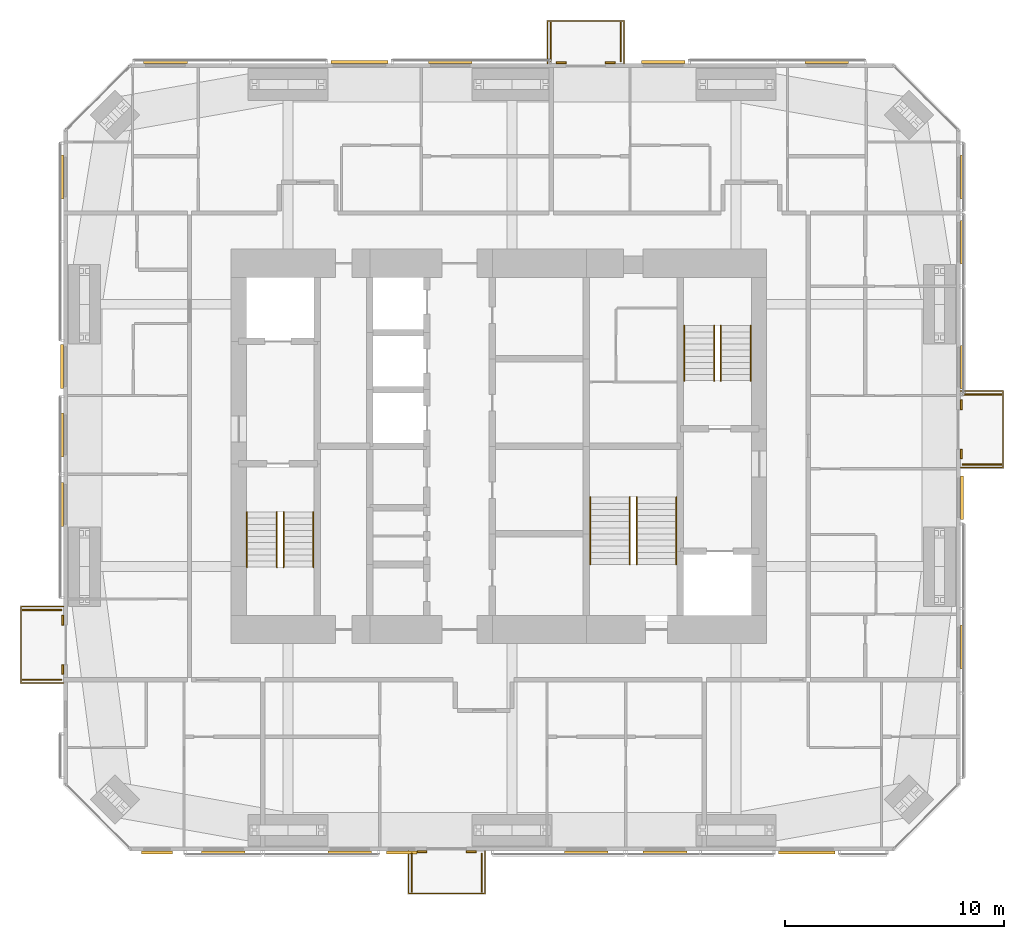
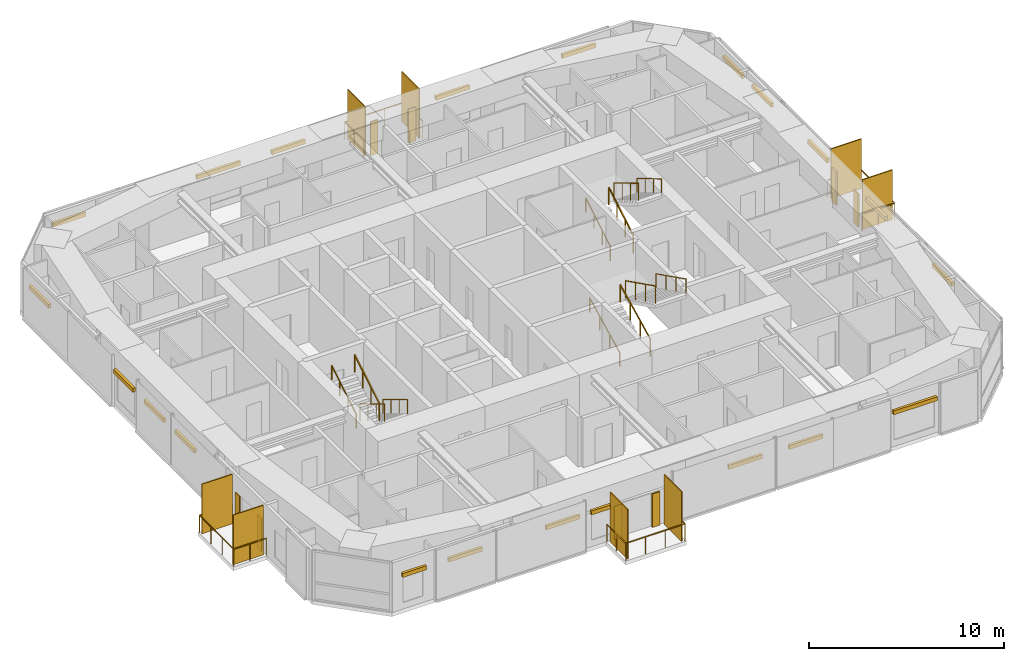
# One storey, part 23 of 23: 37 shading devices, 16 railings.
"""IFC4 building model written with IfcOpenShell, lengths in metres."""

from ifc_helpers import new_model, si_unit, direction, frame, origin, origin_2d, place, context, subcontext, project, spatial, rectangle, circle, extrude, material, layer, layer_set, constituent, constituent_set, type_object, element, save


model = new_model("IFC4")

# Units and contexts
model_context = context("Model", 3, precision=1e-05, world=origin(), true_north=direction((0.0, 1.0)))
body_context = subcontext(model_context, "Body", "Model", "MODEL_VIEW")
ifc_project = project(units=[si_unit("LENGTHUNIT", "METRE"), si_unit("AREAUNIT", "SQUARE_METRE"), si_unit("VOLUMEUNIT", "CUBIC_METRE"), si_unit("PLANEANGLEUNIT", "RADIAN"), si_unit("MASSUNIT", "GRAM", prefix="KILO")], contexts=[model_context])

# Site, building, storey
site_placement = place(None, origin())
site = spatial("IfcSite", under=ifc_project, at=site_placement, CompositionType="ELEMENT")
building_placement = place(site_placement, origin())
building = spatial("IfcBuilding", under=site, at=building_placement, Name="Jalousie Tower", CompositionType="ELEMENT")
storey_placement = place(building_placement, frame((0.0, 0.0, 197.89990234375)))
storey = spatial("IfcBuildingStorey", under=building, at=storey_placement, Name="L54", CompositionType="ELEMENT", Elevation=197.89990234375)

# Shading devices
ifc_material_1 = material(Name="Aluminium impact-rated louvred storm shutter", Category="aluminium")
shading_device_type_1 = type_object("IfcShadingDeviceType", Name="BI-FOLD STORM SHUTTER 900x2100", PredefinedType="SHUTTER", material=ifc_material_1)
for number, where, z_axis, x_axis, name in (
    (1, (28.387451171875, -0.0400390625, 0.0), (0.0, 0.0, 1.0), (1.0, 0.0, 0.0), "Balcony storm shutter L54"),
    (2, (30.637451171875, -0.0400390625, 0.0), (0.0, 0.0, 1.0), (1.0, 0.0, 0.0), "Balcony storm shutter L54"),
    (3, (53.0400390625, 18.14990234375, 0.0), (0.0, 0.0, 1.0), (0.0, 1.0, 0.0), "Balcony storm shutter L54"),
    (4, (53.0400390625, 20.39990234375, 0.0), (0.0, 0.0, 1.0), (0.0, 1.0, 0.0), "Balcony storm shutter L54"),
    (5, (37.0, 36.0400390625, 0.0), (0.0, 0.0, 1.0), (-1.0, 0.0, 0.0), "Balcony storm shutter L54"),
    (6, (34.75, 36.0400390625, 0.0), (0.0, 0.0, 1.0), (-1.0, 0.0, 0.0), "Balcony storm shutter L54"),
    (7, (11.9599609375, 10.550048828125, 0.0), (0.0, 0.0, 1.0), (0.0, -1.0, 0.0), "Balcony storm shutter L54"),
    (8, (11.9599609375, 8.300048828125, 0.0), (0.0, 0.0, 1.0), (0.0, -1.0, 0.0), "Balcony storm shutter L54"),
):
    element("IfcShadingDevice", number, at=place(storey_placement, frame(where, z_axis=z_axis, x_axis=x_axis)), inside=storey, type_object=shading_device_type_1, Name=name, PredefinedType="SHUTTER", context=body_context, shape_type="SweptSolid", body=[
        extrude(rectangle(XDim=0.449951171875, YDim=0.080078125, at=origin_2d()), origin(), (0.0, 0.0, 1.0), 2.10009765625),
    ])

# Railings
ifc_material_2 = material(Name="Powder-coated aluminium fretwork", Category="aluminium")
railing_type_1 = type_object("IfcRailingType", Name="FRETWORK BALUSTRADE 1100", PredefinedType="BALUSTRADE", material=ifc_material_2)
railing_1_placement = place(storey_placement, frame((27.762451171875, 0.0, 0.0)))
element("IfcRailing", 9, at=railing_1_placement, inside=storey, type_object=railing_type_1, Name="Balcony fretwork balustrade L54", PredefinedType="BALUSTRADE", context=body_context, shape_type="SweptSolid", body=[
    extrude(rectangle(XDim=0.048095703125, YDim=0.048095703125, at=origin_2d()), frame((0.0, 0.0, 1.076171875), z_axis=(0.0, -1.0, 0.0), x_axis=(1.0, 0.0, 0.0)), (0.0, 0.0, 1.0), 1.949951171875),
    extrude(rectangle(XDim=0.048095703125, YDim=0.048095703125, at=origin_2d()), frame((0.0, -1.949951171875, 1.076171875), z_axis=(1.0, 0.0, 0.0), x_axis=(0.0, 1.0, 0.0)), (0.0, 0.0, 1.0), 3.5),
    extrude(rectangle(XDim=0.048095703125, YDim=0.048095703125, at=origin_2d()), frame((3.5, -1.949951171875, 1.076171875), z_axis=(0.0, 1.0, 0.0), x_axis=(-1.0, 0.0, 0.0)), (0.0, 0.0, 1.0), 1.949951171875),
    extrude(circle(Radius=0.02099609375, at=origin_2d()), origin(), (0.0, 0.0, 1.0), 1.052001953125),
    extrude(circle(Radius=0.02099609375, at=origin_2d()), frame((0.0, -0.97509765625, 0.0)), (0.0, 0.0, 1.0), 1.052001953125),
    extrude(circle(Radius=0.02099609375, at=origin_2d()), frame((0.0, -1.949951171875, 0.0)), (0.0, 0.0, 1.0), 1.052001953125),
    extrude(circle(Radius=0.02099609375, at=origin_2d()), frame((1.166748046875, -1.949951171875, 0.0)), (0.0, 0.0, 1.0), 1.052001953125),
    extrude(circle(Radius=0.02099609375, at=origin_2d()), frame((2.333251953125, -1.949951171875, 0.0)), (0.0, 0.0, 1.0), 1.052001953125),
    extrude(circle(Radius=0.02099609375, at=origin_2d()), frame((3.5, -1.949951171875, 0.0)), (0.0, 0.0, 1.0), 1.052001953125),
    extrude(circle(Radius=0.02099609375, at=origin_2d()), frame((3.5, -0.97509765625, 0.0)), (0.0, 0.0, 1.0), 1.052001953125),
    extrude(circle(Radius=0.02099609375, at=origin_2d()), frame((3.5, 0.0, 0.0)), (0.0, 0.0, 1.0), 1.052001953125),
])
railing_2_placement = place(storey_placement, frame((53.0, 17.52490234375, 0.0)))
element("IfcRailing", 10, at=railing_2_placement, inside=storey, type_object=railing_type_1, Name="Balcony fretwork balustrade L54", PredefinedType="BALUSTRADE", context=body_context, shape_type="SweptSolid", body=[
    extrude(rectangle(XDim=0.048095703125, YDim=0.048095703125, at=origin_2d()), frame((0.0, 0.0, 1.076171875), z_axis=(1.0, 0.0, 0.0), x_axis=(0.0, 1.0, 0.0)), (0.0, 0.0, 1.0), 1.949951171875),
    extrude(rectangle(XDim=0.048095703125, YDim=0.048095703125, at=origin_2d()), frame((1.949951171875, 0.0, 1.076171875), z_axis=(0.0, 1.0, 0.0), x_axis=(-1.0, 0.0, 0.0)), (0.0, 0.0, 1.0), 3.5),
    extrude(rectangle(XDim=0.048095703125, YDim=0.048095703125, at=origin_2d()), frame((1.949951171875, 3.5, 1.076171875), z_axis=(-1.0, 0.0, 0.0), x_axis=(0.0, -1.0, 0.0)), (0.0, 0.0, 1.0), 1.949951171875),
    extrude(circle(Radius=0.02099609375, at=origin_2d()), origin(), (0.0, 0.0, 1.0), 1.052001953125),
    extrude(circle(Radius=0.02099609375, at=origin_2d()), frame((0.97509765625, 0.0, 0.0)), (0.0, 0.0, 1.0), 1.052001953125),
    extrude(circle(Radius=0.02099609375, at=origin_2d()), frame((1.949951171875, 0.0, 0.0)), (0.0, 0.0, 1.0), 1.052001953125),
    extrude(circle(Radius=0.02099609375, at=origin_2d()), frame((1.949951171875, 1.166748046875, 0.0)), (0.0, 0.0, 1.0), 1.052001953125),
    extrude(circle(Radius=0.02099609375, at=origin_2d()), frame((1.949951171875, 2.333251953125, 0.0)), (0.0, 0.0, 1.0), 1.052001953125),
    extrude(circle(Radius=0.02099609375, at=origin_2d()), frame((1.949951171875, 3.5, 0.0)), (0.0, 0.0, 1.0), 1.052001953125),
    extrude(circle(Radius=0.02099609375, at=origin_2d()), frame((0.97509765625, 3.5, 0.0)), (0.0, 0.0, 1.0), 1.052001953125),
    extrude(circle(Radius=0.02099609375, at=origin_2d()), frame((0.0, 3.5, 0.0)), (0.0, 0.0, 1.0), 1.052001953125),
])
railing_3_placement = place(storey_placement, frame((37.625, 36.0, 0.0)))
element("IfcRailing", 11, at=railing_3_placement, inside=storey, type_object=railing_type_1, Name="Balcony fretwork balustrade L54", PredefinedType="BALUSTRADE", context=body_context, shape_type="SweptSolid", body=[
    extrude(rectangle(XDim=0.048095703125, YDim=0.048095703125, at=origin_2d()), frame((0.0, 0.0, 1.076171875), z_axis=(0.0, 1.0, 0.0), x_axis=(-1.0, 0.0, 0.0)), (0.0, 0.0, 1.0), 1.949951171875),
    extrude(rectangle(XDim=0.048095703125, YDim=0.048095703125, at=origin_2d()), frame((0.0, 1.949951171875, 1.076171875), z_axis=(-1.0, 0.0, 0.0), x_axis=(0.0, -1.0, 0.0)), (0.0, 0.0, 1.0), 3.5),
    extrude(rectangle(XDim=0.048095703125, YDim=0.048095703125, at=origin_2d()), frame((-3.5, 1.949951171875, 1.076171875), z_axis=(0.0, -1.0, 0.0), x_axis=(1.0, 0.0, 0.0)), (0.0, 0.0, 1.0), 1.949951171875),
    extrude(circle(Radius=0.02099609375, at=origin_2d()), origin(), (0.0, 0.0, 1.0), 1.052001953125),
    extrude(circle(Radius=0.02099609375, at=origin_2d()), frame((0.0, 0.97509765625, 0.0)), (0.0, 0.0, 1.0), 1.052001953125),
    extrude(circle(Radius=0.02099609375, at=origin_2d()), frame((0.0, 1.949951171875, 0.0)), (0.0, 0.0, 1.0), 1.052001953125),
    extrude(circle(Radius=0.02099609375, at=origin_2d()), frame((-1.166748046875, 1.949951171875, 0.0)), (0.0, 0.0, 1.0), 1.052001953125),
    extrude(circle(Radius=0.02099609375, at=origin_2d()), frame((-2.333251953125, 1.949951171875, 0.0)), (0.0, 0.0, 1.0), 1.052001953125),
    extrude(circle(Radius=0.02099609375, at=origin_2d()), frame((-3.5, 1.949951171875, 0.0)), (0.0, 0.0, 1.0), 1.052001953125),
    extrude(circle(Radius=0.02099609375, at=origin_2d()), frame((-3.5, 0.97509765625, 0.0)), (0.0, 0.0, 1.0), 1.052001953125),
    extrude(circle(Radius=0.02099609375, at=origin_2d()), frame((-3.5, 0.0, 0.0)), (0.0, 0.0, 1.0), 1.052001953125),
])
railing_4_placement = place(storey_placement, frame((12.0, 11.175048828125, 0.0)))
element("IfcRailing", 12, at=railing_4_placement, inside=storey, type_object=railing_type_1, Name="Balcony fretwork balustrade L54", PredefinedType="BALUSTRADE", context=body_context, shape_type="SweptSolid", body=[
    extrude(rectangle(XDim=0.048095703125, YDim=0.048095703125, at=origin_2d()), frame((0.0, 0.0, 1.076171875), z_axis=(-1.0, 0.0, 0.0), x_axis=(0.0, -1.0, 0.0)), (0.0, 0.0, 1.0), 1.949951171875),
    extrude(rectangle(XDim=0.048095703125, YDim=0.048095703125, at=origin_2d()), frame((-1.949951171875, 0.0, 1.076171875), z_axis=(0.0, -1.0, 0.0), x_axis=(1.0, 0.0, 0.0)), (0.0, 0.0, 1.0), 3.5),
    extrude(rectangle(XDim=0.048095703125, YDim=0.048095703125, at=origin_2d()), frame((-1.949951171875, -3.5, 1.076171875), z_axis=(1.0, 0.0, 0.0), x_axis=(0.0, 1.0, 0.0)), (0.0, 0.0, 1.0), 1.949951171875),
    extrude(circle(Radius=0.02099609375, at=origin_2d()), origin(), (0.0, 0.0, 1.0), 1.052001953125),
    extrude(circle(Radius=0.02099609375, at=origin_2d()), frame((-0.97509765625, 0.0, 0.0)), (0.0, 0.0, 1.0), 1.052001953125),
    extrude(circle(Radius=0.02099609375, at=origin_2d()), frame((-1.949951171875, 0.0, 0.0)), (0.0, 0.0, 1.0), 1.052001953125),
    extrude(circle(Radius=0.02099609375, at=origin_2d()), frame((-1.949951171875, -1.166748046875, 0.0)), (0.0, 0.0, 1.0), 1.052001953125),
    extrude(circle(Radius=0.02099609375, at=origin_2d()), frame((-1.949951171875, -2.333251953125, 0.0)), (0.0, 0.0, 1.0), 1.052001953125),
    extrude(circle(Radius=0.02099609375, at=origin_2d()), frame((-1.949951171875, -3.5, 0.0)), (0.0, 0.0, 1.0), 1.052001953125),
    extrude(circle(Radius=0.02099609375, at=origin_2d()), frame((-0.97509765625, -3.5, 0.0)), (0.0, 0.0, 1.0), 1.052001953125),
    extrude(circle(Radius=0.02099609375, at=origin_2d()), frame((0.0, -3.5, 0.0)), (0.0, 0.0, 1.0), 1.052001953125),
])

# Shading devices
ifc_material_3 = material(Name="Powder-coated aluminium louvres", Category="aluminium")
ifc_layer = layer(ifc_material_3, 0.06005859375)
ifc_layer_set = layer_set([ifc_layer], Name="Powder-coated aluminium louvres")
shading_device_type_2 = type_object("IfcShadingDeviceType", Name="JALOUSIE LOUVRE SCREEN", PredefinedType="JALOUSIE", material=ifc_layer_set)
for number, where, z_axis, x_axis, name in (
    (13, (27.91259765625, -1.0, 0.0), (0.0, 0.0, 1.0), (1.0, 0.0, 0.0), "Jalousie louvre screen L54"),
    (14, (31.112548828125, -1.0, 0.0), (0.0, 0.0, 1.0), (1.0, 0.0, 0.0), "Jalousie louvre screen L54"),
    (15, (54.0, 17.675048828125, 0.0), (0.0, 0.0, 1.0), (0.0, 1.0, 0.0), "Jalousie louvre screen L54"),
    (16, (54.0, 20.875, 0.0), (0.0, 0.0, 1.0), (0.0, 1.0, 0.0), "Jalousie louvre screen L54"),
    (17, (37.47509765625, 37.0, 0.0), (0.0, 0.0, 1.0), (-1.0, 0.0, 0.0), "Jalousie louvre screen L54"),
    (18, (34.27490234375, 37.0, 0.0), (0.0, 0.0, 1.0), (-1.0, 0.0, 0.0), "Jalousie louvre screen L54"),
    (19, (11.0, 11.02490234375, 0.0), (0.0, 0.0, 1.0), (0.0, -1.0, 0.0), "Jalousie louvre screen L54"),
    (20, (11.0, 7.824951171875, 0.0), (0.0, 0.0, 1.0), (0.0, -1.0, 0.0), "Jalousie louvre screen L54"),
):
    element("IfcShadingDevice", number, at=place(storey_placement, frame(where, z_axis=z_axis, x_axis=x_axis)), inside=storey, type_object=shading_device_type_2, Name=name, PredefinedType="JALOUSIE", context=body_context, shape_type="SweptSolid", body=[
        extrude(rectangle(XDim=0.06005859375, YDim=1.800048828125, at=origin_2d()), origin(), (0.0, 0.0, 1.0), 3.110107421875),
    ])

# Railings
ifc_material_4 = material(Name="Steel ASTM A500 Grade C", Category="steel")
ifc_constituent_1 = constituent(ifc_material_4, Name="Body")
ifc_material_5 = material(Name="Hot-dip galvanised zinc coating")
ifc_constituent_2 = constituent(ifc_material_5, Name="Finish")
ifc_constituent_set_1 = constituent_set(constituents=[ifc_constituent_1, ifc_constituent_2])
railing_type_2 = type_object("IfcRailingType", Name="STAIR GUARD 1100", PredefinedType="GUARDRAIL", material=ifc_constituent_set_1)
railing_5_placement = place(storey_placement, frame((22.054931640625, 15.49755859375, 0.16748046875)))
element("IfcRailing", 21, at=railing_5_placement, inside=storey, type_object=railing_type_2, Name="Exit stair A guard L54 flight 1", PredefinedType="GUARDRAIL", context=body_context, shape_type="SweptSolid", body=[
    extrude(rectangle(XDim=0.048095703125, YDim=0.048095703125, at=origin_2d()), frame((0.0, 0.0, 1.076171875), z_axis=(0.0, -0.858159760407, 0.513382728203), x_axis=(1.0, 0.0, 0.0)), (0.0, 0.0, 1.0), 2.9365234375),
    extrude(circle(Radius=0.02099609375, at=origin_2d()), origin(), (0.0, 0.0, 1.0), 1.052001953125),
    extrude(circle(Radius=0.02099609375, at=origin_2d()), frame((0.0, -0.840087890625, 0.50244140625)), (0.0, 0.0, 1.0), 1.052001953125),
    extrude(circle(Radius=0.02099609375, at=origin_2d()), frame((0.0, -1.679931640625, 1.005126953125)), (0.0, 0.0, 1.0), 1.052001953125),
    extrude(circle(Radius=0.02099609375, at=origin_2d()), frame((0.0, -2.52001953125, 1.507568359375)), (0.0, 0.0, 1.0), 1.052001953125),
])
for number, where, name in (
    (22, (21.7451171875, 12.9775390625, 1.842529296875), "Exit stair A guard L54 flight 2"),
    (23, (41.7451171875, 21.50244140625, 0.16748046875), "Exit stair B guard L54 flight 1"),
):
    element("IfcRailing", number, at=place(storey_placement, frame(where)), inside=storey, type_object=railing_type_2, Name=name, PredefinedType="GUARDRAIL", context=body_context, shape_type="SweptSolid", body=[
        extrude(rectangle(XDim=0.048095703125, YDim=0.048095703125, at=origin_2d()), frame((0.0, 0.0, 1.076171875), z_axis=(0.0, 0.858159760407, 0.513382728203), x_axis=(-1.0, 0.0, 0.0)), (0.0, 0.0, 1.0), 2.9365234375),
        extrude(circle(Radius=0.02099609375, at=origin_2d()), origin(), (0.0, 0.0, 1.0), 1.052001953125),
        extrude(circle(Radius=0.02099609375, at=origin_2d()), frame((0.0, 0.840087890625, 0.50244140625)), (0.0, 0.0, 1.0), 1.052001953125),
        extrude(circle(Radius=0.02099609375, at=origin_2d()), frame((0.0, 1.679931640625, 1.005126953125)), (0.0, 0.0, 1.0), 1.052001953125),
        extrude(circle(Radius=0.02099609375, at=origin_2d()), frame((0.0, 2.52001953125, 1.507568359375)), (0.0, 0.0, 1.0), 1.052001953125),
    ])
railing_6_placement = place(storey_placement, frame((42.054931640625, 24.0224609375, 1.842529296875)))
element("IfcRailing", 24, at=railing_6_placement, inside=storey, type_object=railing_type_2, Name="Exit stair B guard L54 flight 2", PredefinedType="GUARDRAIL", context=body_context, shape_type="SweptSolid", body=[
    extrude(rectangle(XDim=0.048095703125, YDim=0.048095703125, at=origin_2d()), frame((0.0, 0.0, 1.076171875), z_axis=(0.0, -0.858159760407, 0.513382728203), x_axis=(1.0, 0.0, 0.0)), (0.0, 0.0, 1.0), 2.9365234375),
    extrude(circle(Radius=0.02099609375, at=origin_2d()), origin(), (0.0, 0.0, 1.0), 1.052001953125),
    extrude(circle(Radius=0.02099609375, at=origin_2d()), frame((0.0, -0.840087890625, 0.50244140625)), (0.0, 0.0, 1.0), 1.052001953125),
    extrude(circle(Radius=0.02099609375, at=origin_2d()), frame((0.0, -1.679931640625, 1.005126953125)), (0.0, 0.0, 1.0), 1.052001953125),
    extrude(circle(Radius=0.02099609375, at=origin_2d()), frame((0.0, -2.52001953125, 1.507568359375)), (0.0, 0.0, 1.0), 1.052001953125),
])
railing_7_placement = place(storey_placement, frame((37.89501953125, 13.097412109375, 0.1396484375)))
element("IfcRailing", 25, at=railing_7_placement, inside=storey, type_object=railing_type_2, Name="Exit stair C guard L54 flight 1", PredefinedType="GUARDRAIL", context=body_context, shape_type="SweptSolid", body=[
    extrude(rectangle(XDim=0.048095703125, YDim=0.048095703125, at=origin_2d()), frame((0.0, 0.0, 1.076171875), z_axis=(0.0, 0.894965676997, 0.446134998624), x_axis=(-1.0, 0.0, 0.0)), (0.0, 0.0, 1.0), 3.441650390625),
    extrude(circle(Radius=0.02099609375, at=origin_2d()), origin(), (0.0, 0.0, 1.0), 1.052001953125),
    extrude(circle(Radius=0.02099609375, at=origin_2d()), frame((0.0, 1.026611328125, 0.51171875)), (0.0, 0.0, 1.0), 1.052001953125),
    extrude(circle(Radius=0.02099609375, at=origin_2d()), frame((0.0, 2.053466796875, 1.023681640625)), (0.0, 0.0, 1.0), 1.052001953125),
    extrude(circle(Radius=0.02099609375, at=origin_2d()), frame((0.0, 3.080078125, 1.535400390625)), (0.0, 0.0, 1.0), 1.052001953125),
])
railing_8_placement = place(storey_placement, frame((38.205078125, 16.177490234375, 1.814697265625)))
element("IfcRailing", 26, at=railing_8_placement, inside=storey, type_object=railing_type_2, Name="Exit stair C guard L54 flight 2", PredefinedType="GUARDRAIL", context=body_context, shape_type="SweptSolid", body=[
    extrude(rectangle(XDim=0.048095703125, YDim=0.048095703125, at=origin_2d()), frame((0.0, 0.0, 1.076171875), z_axis=(0.0, -0.894965676997, 0.446134998624), x_axis=(1.0, 0.0, 0.0)), (0.0, 0.0, 1.0), 3.441650390625),
    extrude(circle(Radius=0.02099609375, at=origin_2d()), origin(), (0.0, 0.0, 1.0), 1.052001953125),
    extrude(circle(Radius=0.02099609375, at=origin_2d()), frame((0.0, -1.026611328125, 0.51171875)), (0.0, 0.0, 1.0), 1.052001953125),
    extrude(circle(Radius=0.02099609375, at=origin_2d()), frame((0.0, -2.053466796875, 1.023681640625)), (0.0, 0.0, 1.0), 1.052001953125),
    extrude(circle(Radius=0.02099609375, at=origin_2d()), frame((0.0, -3.080078125, 1.535400390625)), (0.0, 0.0, 1.0), 1.052001953125),
])
ifc_material_6 = material(Name="Steel ASTM A500 Grade C", Category="steel")
ifc_constituent_3 = constituent(ifc_material_6, Name="Body")
ifc_material_7 = material(Name="Hot-dip galvanised zinc coating")
ifc_constituent_4 = constituent(ifc_material_7, Name="Finish")
ifc_constituent_set_2 = constituent_set(constituents=[ifc_constituent_3, ifc_constituent_4])
railing_type_3 = type_object("IfcRailingType", Name="STAIR HANDRAIL 900", PredefinedType="HANDRAIL", material=ifc_constituent_set_2)
railing_9_placement = place(storey_placement, frame((23.419921875, 15.49755859375, 0.16748046875)))
element("IfcRailing", 27, at=railing_9_placement, inside=storey, type_object=railing_type_3, Name="Exit stair A handrail L54 flight 1", PredefinedType="HANDRAIL", context=body_context, shape_type="SweptSolid", body=[
    extrude(circle(Radius=0.02392578125, at=origin_2d()), frame((0.0, 0.0, 0.8759765625), z_axis=(0.0, -0.858159760407, 0.513382728203), x_axis=(1.0, 0.0, 0.0)), (0.0, 0.0, 1.0), 2.9365234375),
    extrude(circle(Radius=0.02099609375, at=origin_2d()), origin(), (0.0, 0.0, 1.0), 0.851806640625),
    extrude(circle(Radius=0.02099609375, at=origin_2d()), frame((0.0, -0.840087890625, 0.50244140625)), (0.0, 0.0, 1.0), 0.851806640625),
    extrude(circle(Radius=0.02099609375, at=origin_2d()), frame((0.0, -1.679931640625, 1.005126953125)), (0.0, 0.0, 1.0), 0.851806640625),
    extrude(circle(Radius=0.02099609375, at=origin_2d()), frame((0.0, -2.52001953125, 1.507568359375)), (0.0, 0.0, 1.0), 0.851806640625),
])
for number, where, name in (
    (28, (20.3798828125, 12.9775390625, 1.842529296875), "Exit stair A handrail L54 flight 2"),
    (29, (40.3798828125, 21.50244140625, 0.16748046875), "Exit stair B handrail L54 flight 1"),
):
    element("IfcRailing", number, at=place(storey_placement, frame(where)), inside=storey, type_object=railing_type_3, Name=name, PredefinedType="HANDRAIL", context=body_context, shape_type="SweptSolid", body=[
        extrude(circle(Radius=0.02392578125, at=origin_2d()), frame((0.0, 0.0, 0.8759765625), z_axis=(0.0, 0.858159760407, 0.513382728203), x_axis=(-1.0, 0.0, 0.0)), (0.0, 0.0, 1.0), 2.9365234375),
        extrude(circle(Radius=0.02099609375, at=origin_2d()), origin(), (0.0, 0.0, 1.0), 0.851806640625),
        extrude(circle(Radius=0.02099609375, at=origin_2d()), frame((0.0, 0.840087890625, 0.50244140625)), (0.0, 0.0, 1.0), 0.851806640625),
        extrude(circle(Radius=0.02099609375, at=origin_2d()), frame((0.0, 1.679931640625, 1.005126953125)), (0.0, 0.0, 1.0), 0.851806640625),
        extrude(circle(Radius=0.02099609375, at=origin_2d()), frame((0.0, 2.52001953125, 1.507568359375)), (0.0, 0.0, 1.0), 0.851806640625),
    ])
railing_10_placement = place(storey_placement, frame((43.419921875, 24.0224609375, 1.842529296875)))
element("IfcRailing", 30, at=railing_10_placement, inside=storey, type_object=railing_type_3, Name="Exit stair B handrail L54 flight 2", PredefinedType="HANDRAIL", context=body_context, shape_type="SweptSolid", body=[
    extrude(circle(Radius=0.02392578125, at=origin_2d()), frame((0.0, 0.0, 0.8759765625), z_axis=(0.0, -0.858159760407, 0.513382728203), x_axis=(1.0, 0.0, 0.0)), (0.0, 0.0, 1.0), 2.9365234375),
    extrude(circle(Radius=0.02099609375, at=origin_2d()), origin(), (0.0, 0.0, 1.0), 0.851806640625),
    extrude(circle(Radius=0.02099609375, at=origin_2d()), frame((0.0, -0.840087890625, 0.50244140625)), (0.0, 0.0, 1.0), 0.851806640625),
    extrude(circle(Radius=0.02099609375, at=origin_2d()), frame((0.0, -1.679931640625, 1.005126953125)), (0.0, 0.0, 1.0), 0.851806640625),
    extrude(circle(Radius=0.02099609375, at=origin_2d()), frame((0.0, -2.52001953125, 1.507568359375)), (0.0, 0.0, 1.0), 0.851806640625),
])
railing_11_placement = place(storey_placement, frame((36.080078125, 13.097412109375, 0.1396484375)))
element("IfcRailing", 31, at=railing_11_placement, inside=storey, type_object=railing_type_3, Name="Exit stair C handrail L54 flight 1", PredefinedType="HANDRAIL", context=body_context, shape_type="SweptSolid", body=[
    extrude(circle(Radius=0.02392578125, at=origin_2d()), frame((0.0, 0.0, 0.8759765625), z_axis=(0.0, 0.894965676997, 0.446134998624), x_axis=(-1.0, 0.0, 0.0)), (0.0, 0.0, 1.0), 3.441650390625),
    extrude(circle(Radius=0.02099609375, at=origin_2d()), origin(), (0.0, 0.0, 1.0), 0.851806640625),
    extrude(circle(Radius=0.02099609375, at=origin_2d()), frame((0.0, 1.026611328125, 0.51171875)), (0.0, 0.0, 1.0), 0.851806640625),
    extrude(circle(Radius=0.02099609375, at=origin_2d()), frame((0.0, 2.053466796875, 1.023681640625)), (0.0, 0.0, 1.0), 0.851806640625),
    extrude(circle(Radius=0.02099609375, at=origin_2d()), frame((0.0, 3.080078125, 1.535400390625)), (0.0, 0.0, 1.0), 0.851806640625),
])
railing_12_placement = place(storey_placement, frame((40.02001953125, 16.177490234375, 1.814697265625)))
element("IfcRailing", 32, at=railing_12_placement, inside=storey, type_object=railing_type_3, Name="Exit stair C handrail L54 flight 2", PredefinedType="HANDRAIL", context=body_context, shape_type="SweptSolid", body=[
    extrude(circle(Radius=0.02392578125, at=origin_2d()), frame((0.0, 0.0, 0.8759765625), z_axis=(0.0, -0.894965676997, 0.446134998624), x_axis=(1.0, 0.0, 0.0)), (0.0, 0.0, 1.0), 3.441650390625),
    extrude(circle(Radius=0.02099609375, at=origin_2d()), origin(), (0.0, 0.0, 1.0), 0.851806640625),
    extrude(circle(Radius=0.02099609375, at=origin_2d()), frame((0.0, -1.026611328125, 0.51171875)), (0.0, 0.0, 1.0), 0.851806640625),
    extrude(circle(Radius=0.02099609375, at=origin_2d()), frame((0.0, -2.053466796875, 1.023681640625)), (0.0, 0.0, 1.0), 0.851806640625),
    extrude(circle(Radius=0.02099609375, at=origin_2d()), frame((0.0, -3.080078125, 1.535400390625)), (0.0, 0.0, 1.0), 0.851806640625),
])

# Shading devices
ifc_material_8 = material(Name="Aluminium roller storm shutter", Category="aluminium")
shading_device_type_3 = type_object("IfcShadingDeviceType", Name="STORM SHUTTER HOUSING", PredefinedType="SHUTTER", material=ifc_material_8)
shading_device_1_placement = place(storey_placement, frame((16.263916015625, -0.074951171875, 2.10009765625), z_axis=(0.0, 0.0, 1.0), x_axis=(1.0, 0.0, 0.0)))
element("IfcShadingDevice", 33, at=shading_device_1_placement, inside=storey, type_object=shading_device_type_3, Name="Storm shutter L54", PredefinedType="SHUTTER", context=body_context, shape_type="SweptSolid", body=[
    extrude(rectangle(XDim=1.39990234375, YDim=0.14990234375, at=origin_2d()), origin(), (0.0, 0.0, 1.0), 0.25),
])
for number, where, z_axis, x_axis, name in (
    (34, (19.300048828125, -0.074951171875, 2.10009765625), (0.0, 0.0, 1.0), (1.0, 0.0, 0.0), "Storm shutter L54"),
    (35, (25.081298828125, -0.074951171875, 2.10009765625), (0.0, 0.0, 1.0), (1.0, 0.0, 0.0), "Storm shutter L54"),
):
    element("IfcShadingDevice", number, at=place(storey_placement, frame(where, z_axis=z_axis, x_axis=x_axis)), inside=storey, type_object=shading_device_type_3, Name=name, PredefinedType="SHUTTER", context=body_context, shape_type="SweptSolid", body=[
        extrude(rectangle(XDim=2.0, YDim=0.14990234375, at=origin_2d()), origin(), (0.0, 0.0, 1.0), 0.25),
    ])
shading_device_2_placement = place(storey_placement, frame((27.449951171875, -0.074951171875, 2.10009765625), z_axis=(0.0, 0.0, 1.0), x_axis=(1.0, 0.0, 0.0)))
element("IfcShadingDevice", 36, at=shading_device_2_placement, inside=storey, type_object=shading_device_type_3, Name="Storm shutter L54", PredefinedType="SHUTTER", context=body_context, shape_type="SweptSolid", body=[
    extrude(rectangle(XDim=1.39990234375, YDim=0.14990234375, at=origin_2d()), origin(), (0.0, 0.0, 1.0), 0.25),
])
for number, where, z_axis, x_axis, name in (
    (37, (35.89990234375, -0.074951171875, 2.10009765625), (0.0, 0.0, 1.0), (1.0, 0.0, 0.0), "Storm shutter L54"),
    (38, (39.5, -0.074951171875, 2.10009765625), (0.0, 0.0, 1.0), (1.0, 0.0, 0.0), "Storm shutter L54"),
):
    element("IfcShadingDevice", number, at=place(storey_placement, frame(where, z_axis=z_axis, x_axis=x_axis)), inside=storey, type_object=shading_device_type_3, Name=name, PredefinedType="SHUTTER", context=body_context, shape_type="SweptSolid", body=[
        extrude(rectangle(XDim=2.0, YDim=0.14990234375, at=origin_2d()), origin(), (0.0, 0.0, 1.0), 0.25),
    ])
shading_device_3_placement = place(storey_placement, frame((45.981201171875, -0.074951171875, 2.10009765625), z_axis=(0.0, 0.0, 1.0), x_axis=(1.0, 0.0, 0.0)))
element("IfcShadingDevice", 39, at=shading_device_3_placement, inside=storey, type_object=shading_device_type_3, Name="Storm shutter L54", PredefinedType="SHUTTER", context=body_context, shape_type="SweptSolid", body=[
    extrude(rectangle(XDim=2.60009765625, YDim=0.14990234375, at=origin_2d()), origin(), (0.0, 0.0, 1.0), 0.25),
])
for number, where, z_axis, x_axis, name in (
    (40, (53.074951171875, 9.324951171875, 2.10009765625), (0.0, 0.0, 1.0), (0.0, 1.0, 0.0), "Storm shutter L54"),
    (41, (53.074951171875, 16.14990234375, 2.10009765625), (0.0, 0.0, 1.0), (0.0, 1.0, 0.0), "Storm shutter L54"),
    (42, (53.074951171875, 22.125, 2.10009765625), (0.0, 0.0, 1.0), (0.0, 1.0, 0.0), "Storm shutter L54"),
    (43, (53.074951171875, 27.83740234375, 2.10009765625), (0.0, 0.0, 1.0), (0.0, 1.0, 0.0), "Storm shutter L54"),
    (44, (53.074951171875, 30.822509765625, 2.10009765625), (0.0, 0.0, 1.0), (0.0, 1.0, 0.0), "Storm shutter L54"),
    (45, (46.89990234375, 36.074951171875, 2.10009765625), (0.0, 0.0, 1.0), (-1.0, 0.0, 0.0), "Storm shutter L54"),
    (46, (39.41259765625, 36.074951171875, 2.10009765625), (0.0, 0.0, 1.0), (-1.0, 0.0, 0.0), "Storm shutter L54"),
    (47, (29.675048828125, 36.074951171875, 2.10009765625), (0.0, 0.0, 1.0), (-1.0, 0.0, 0.0), "Storm shutter L54"),
):
    element("IfcShadingDevice", number, at=place(storey_placement, frame(where, z_axis=z_axis, x_axis=x_axis)), inside=storey, type_object=shading_device_type_3, Name=name, PredefinedType="SHUTTER", context=body_context, shape_type="SweptSolid", body=[
        extrude(rectangle(XDim=2.0, YDim=0.14990234375, at=origin_2d()), origin(), (0.0, 0.0, 1.0), 0.25),
    ])
shading_device_4_placement = place(storey_placement, frame((25.52490234375, 36.074951171875, 2.10009765625), z_axis=(0.0, 0.0, 1.0), x_axis=(-1.0, 0.0, 0.0)))
element("IfcShadingDevice", 48, at=shading_device_4_placement, inside=storey, type_object=shading_device_type_3, Name="Storm shutter L54", PredefinedType="SHUTTER", context=body_context, shape_type="SweptSolid", body=[
    extrude(rectangle(XDim=2.60009765625, YDim=0.14990234375, at=origin_2d()), origin(), (0.0, 0.0, 1.0), 0.25),
])
for number, where, z_axis, x_axis, name in (
    (49, (16.64990234375, 36.074951171875, 2.10009765625), (0.0, 0.0, 1.0), (-1.0, 0.0, 0.0), "Storm shutter L54"),
    (50, (11.925048828125, 30.822509765625, 2.10009765625), (0.0, 0.0, 1.0), (0.0, -1.0, 0.0), "Storm shutter L54"),
    (51, (11.925048828125, 22.150146484375, 2.10009765625), (0.0, 0.0, 1.0), (0.0, -1.0, 0.0), "Storm shutter L54"),
    (52, (11.925048828125, 19.02490234375, 2.10009765625), (0.0, 0.0, 1.0), (0.0, -1.0, 0.0), "Storm shutter L54"),
    (53, (11.925048828125, 15.847412109375, 2.10009765625), (0.0, 0.0, 1.0), (0.0, -1.0, 0.0), "Storm shutter L54"),
):
    element("IfcShadingDevice", number, at=place(storey_placement, frame(where, z_axis=z_axis, x_axis=x_axis)), inside=storey, type_object=shading_device_type_3, Name=name, PredefinedType="SHUTTER", context=body_context, shape_type="SweptSolid", body=[
        extrude(rectangle(XDim=2.0, YDim=0.14990234375, at=origin_2d()), origin(), (0.0, 0.0, 1.0), 0.25),
    ])

save(model, "model.ifc")
